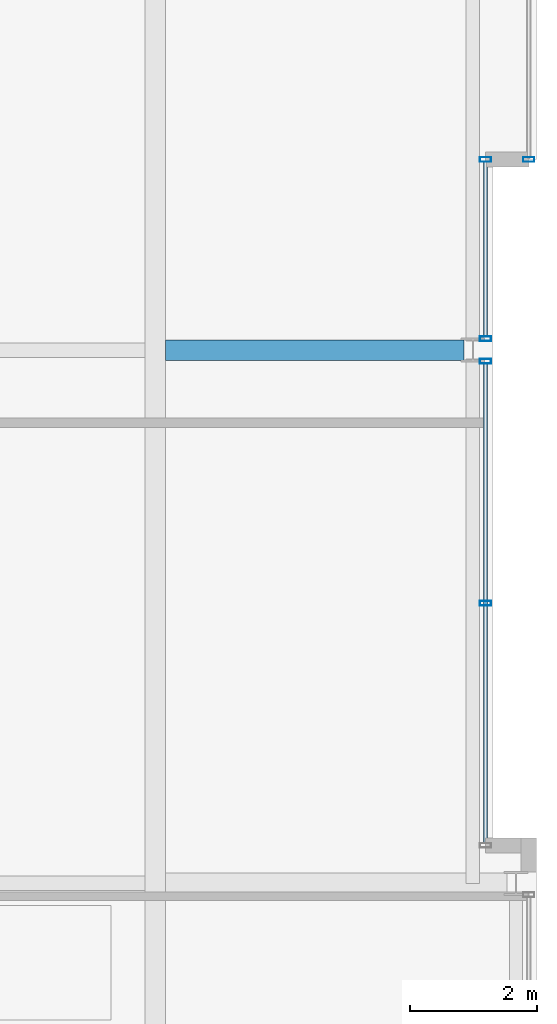
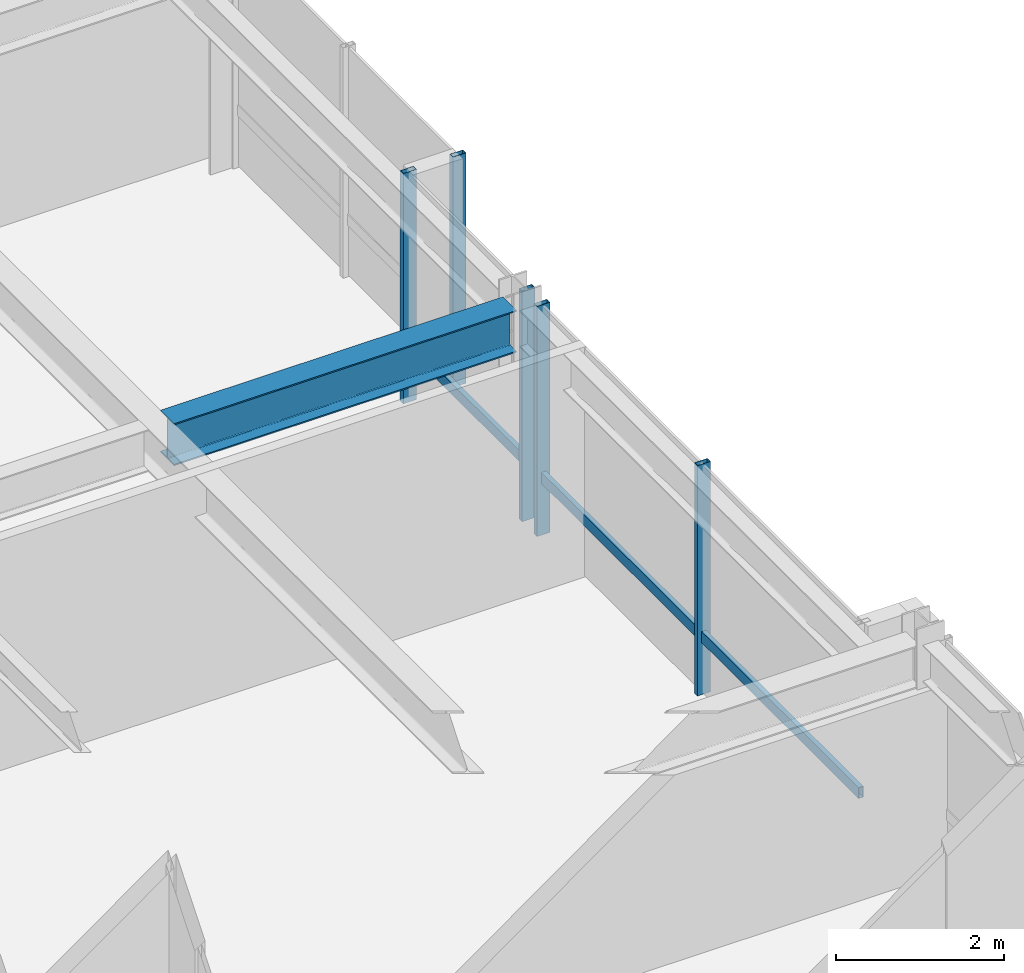
# One storey, part 16 of 31: 7 members, 1 beam, 3 elements without a shape of their own.
"""IFC4 building model written with IfcOpenShell, lengths in metres."""

from ifc_helpers import new_model, si_unit, direction, frame, origin, origin_2d, place, context, subcontext, project, spatial, hollow_rectangle, i_section, extrude, material, layer, layer_set, material_profile, profile_set, type_object, element, aggregate, save


model = new_model("IFC4")

# Units and contexts
model_context = context("Model", 3, precision=1e-05, world=origin(), true_north=direction((0.0, 1.0)))
body_context = subcontext(model_context, "Body", "Model", "MODEL_VIEW")
ifc_project = project(units=[si_unit("LENGTHUNIT", "METRE"), si_unit("AREAUNIT", "SQUARE_METRE"), si_unit("VOLUMEUNIT", "CUBIC_METRE"), si_unit("PLANEANGLEUNIT", "RADIAN"), si_unit("MASSUNIT", "GRAM", prefix="KILO")], contexts=[model_context])

# Site, building, storey
site_placement = place(None, origin())
site = spatial("IfcSite", under=ifc_project, at=site_placement, CompositionType="ELEMENT")
building_placement = place(site_placement, origin())
building = spatial("IfcBuilding", under=site, at=building_placement, Name="Drelvath Grand Hotel", CompositionType="ELEMENT")
storey_placement = place(building_placement, frame((0.0, 0.0, 244.699951171875)))
storey = spatial("IfcBuildingStorey", under=building, at=storey_placement, Name="L64", CompositionType="ELEMENT", Elevation=244.699951171875)

# Curtain wall, member
ifc_material_1 = material(Name="Platinum-Mist Anodised Aluminium Frame", Category="aluminium")
ifc_layer = layer(ifc_material_1, 0.199951171875)
ifc_layer_set = layer_set([ifc_layer], Name="Platinum-Mist Anodised Aluminium Frame")
curtain_wall_type = type_object("IfcCurtainWallType", Name="Stick Curtain Wall CW-05 Platinum Mist High-Rise", PredefinedType="NOTDEFINED", material=ifc_layer_set)
curtain_wall_1_placement = place(storey_placement, origin())
curtain_wall_1 = element("IfcCurtainWall", 1, at=curtain_wall_1_placement, inside=storey, type_object=curtain_wall_type, Name="L64 CW-05 Curtain Wall CW05-L64-EM1", PredefinedType="NOTDEFINED")
ifc_material_profile_1 = material_profile(ifc_material_1, hollow_rectangle(XDim=0.06494140625, YDim=0.159912109375, WallThickness=0.00390625, at=origin_2d()), Name="HSS160X65X4")
ifc_profile_set_1 = profile_set([ifc_material_profile_1], Name="Platinum-Mist Anodised Aluminium Frame")
member_type_1 = type_object("IfcMemberType", Name="Curtain Wall Horizontal Transom CW-05 HSS160X65X4", PredefinedType="USERDEFINED", material=ifc_profile_set_1)
member_1_placement = place(storey_placement, frame((21.39990234375, 26.78173828125, 0.8349609375), z_axis=(0.0, -1.0, 0.0), x_axis=(1.0, 0.0, 0.0)))
member_1 = element("IfcMember", 2, at=member_1_placement, type_object=member_type_1, Name="CW05-L64-EM1 Sill Transom", ObjectType="TRANSOM", PredefinedType="USERDEFINED", context=body_context, shape_type="SweptSolid", body=[
    extrude(hollow_rectangle(XDim=0.06494140625, YDim=0.159912109375, WallThickness=0.00390625, at=origin_2d()), origin(), (0.0, 0.0, 1.0), 7.541748046875),
])

curtain_wall_2_placement = place(storey_placement, origin())
curtain_wall_2 = element("IfcCurtainWall", 3, at=curtain_wall_2_placement, inside=storey, type_object=curtain_wall_type, Name="L64 CW-05 Curtain Wall CW05-L64-EM2", PredefinedType="NOTDEFINED")
member_2_placement = place(storey_placement, frame((21.39990234375, 29.9599609375, 0.8349609375), z_axis=(0.0, -1.0, 0.0), x_axis=(1.0, 0.0, 0.0)))
member_2 = element("IfcMember", 4, at=member_2_placement, type_object=member_type_1, Name="CW05-L64-EM2 Sill Transom", ObjectType="TRANSOM", PredefinedType="USERDEFINED", context=body_context, shape_type="SweptSolid", body=[
    extrude(hollow_rectangle(XDim=0.06494140625, YDim=0.159912109375, WallThickness=0.00390625, at=origin_2d()), origin(), (0.0, 0.0, 1.0), 2.74169921875),
])

curtain_wall_3_placement = place(storey_placement, origin())
curtain_wall_3 = element("IfcCurtainWall", 5, at=curtain_wall_3_placement, inside=storey, type_object=curtain_wall_type, Name="L64 CW-05 Curtain Wall CW05-L64-EN1", PredefinedType="NOTDEFINED")
ifc_material_profile_2 = material_profile(ifc_material_1, hollow_rectangle(XDim=0.074951171875, YDim=0.179931640625, WallThickness=0.0048828125, at=origin_2d()), Name="HSS180X75X5")
ifc_profile_set_2 = profile_set([ifc_material_profile_2], Name="Platinum-Mist Anodised Aluminium Frame")
member_type_2 = type_object("IfcMemberType", Name="Curtain Wall Vertical Mullion CW-05 HSS180X75X5", PredefinedType="MULLION", material=ifc_profile_set_2)
member_3_placement = place(storey_placement, frame((22.080078125, 30.0, 0.0), z_axis=(0.0, 0.0, 1.0), x_axis=(0.0, 1.0, 0.0)))
member_3 = element("IfcMember", 6, at=member_3_placement, type_object=member_type_2, Name="CW05-L64-EN1 Mullion 3", PredefinedType="MULLION", context=body_context, shape_type="SweptSolid", body=[
    extrude(hollow_rectangle(XDim=0.074951171875, YDim=0.179931640625, WallThickness=0.0048828125, at=origin_2d()), origin(), (0.0, 0.0, 1.0), 3.340087890625),
])
aggregate(curtain_wall_3, [member_3])

# Member
member_4_placement = place(storey_placement, frame((21.39990234375, 26.82177734375, 0.0), z_axis=(0.0, 0.0, 1.0), x_axis=(0.0, 1.0, 0.0)))
member_4 = element("IfcMember", 7, at=member_4_placement, type_object=member_type_2, Name="CW05-L64-EM1 Mullion 1", PredefinedType="MULLION", context=body_context, shape_type="SweptSolid", body=[
    extrude(hollow_rectangle(XDim=0.074951171875, YDim=0.179931640625, WallThickness=0.0048828125, at=origin_2d()), origin(), (0.0, 0.0, 1.0), 3.340087890625),
])

member_5_placement = place(storey_placement, frame((21.39990234375, 23.010986328125, 0.0), z_axis=(0.0, 0.0, 1.0), x_axis=(0.0, 1.0, 0.0)))
member_5 = element("IfcMember", 8, at=member_5_placement, type_object=member_type_2, Name="CW05-L64-EM1 Mullion 2", PredefinedType="MULLION", context=body_context, shape_type="SweptSolid", body=[
    extrude(hollow_rectangle(XDim=0.074951171875, YDim=0.179931640625, WallThickness=0.0048828125, at=origin_2d()), origin(), (0.0, 0.0, 1.0), 3.340087890625),
])

aggregate(curtain_wall_1, [member_4, member_5, member_1])

member_6_placement = place(storey_placement, frame((21.39990234375, 30.0, 0.0), z_axis=(0.0, 0.0, 1.0), x_axis=(0.0, 1.0, 0.0)))
member_6 = element("IfcMember", 9, at=member_6_placement, type_object=member_type_2, Name="CW05-L64-EM2 Mullion 1", PredefinedType="MULLION", context=body_context, shape_type="SweptSolid", body=[
    extrude(hollow_rectangle(XDim=0.074951171875, YDim=0.179931640625, WallThickness=0.0048828125, at=origin_2d()), origin(), (0.0, 0.0, 1.0), 3.340087890625),
])

member_7_placement = place(storey_placement, frame((21.39990234375, 27.17822265625, 0.0), z_axis=(0.0, 0.0, 1.0), x_axis=(0.0, 1.0, 0.0)))
member_7 = element("IfcMember", 10, at=member_7_placement, type_object=member_type_2, Name="CW05-L64-EM2 Mullion 2", PredefinedType="MULLION", context=body_context, shape_type="SweptSolid", body=[
    extrude(hollow_rectangle(XDim=0.074951171875, YDim=0.179931640625, WallThickness=0.0048828125, at=origin_2d()), origin(), (0.0, 0.0, 1.0), 3.340087890625),
])

aggregate(curtain_wall_2, [member_6, member_7, member_2])

# Beam
ifc_material_2 = material(Name="Steel ASTM A992 Gr 50", Category="steel")
ifc_material_profile_3 = material_profile(ifc_material_2, i_section(OverallWidth=0.323974609375, OverallDepth=0.611083984375, WebThickness=0.0126953125, FlangeThickness=0.01904296875, FilletRadius=0.02197265625, at=origin_2d()), Name="W24X104")
ifc_profile_set_3 = profile_set([ifc_material_profile_3], Name="Steel ASTM A992 Gr 50")
beam_type = type_object("IfcBeamType", Name="Primary Floor Girder W24X104", PredefinedType="BEAM", material=ifc_profile_set_3)
beam_placement = place(storey_placement, frame((16.362060546875, 27.0, 3.034423828125), z_axis=(1.0, 0.0, 0.0), x_axis=(0.0, 1.0, 0.0)))
element("IfcBeam", 11, at=beam_placement, inside=storey, type_object=beam_type, Name="L64 East Wing Girder E", PredefinedType="BEAM", context=body_context, shape_type="SweptSolid", body=[
    extrude(i_section(OverallWidth=0.323974609375, OverallDepth=0.611083984375, WebThickness=0.0126953125, FlangeThickness=0.01904296875, FilletRadius=0.02197265625, at=origin_2d()), origin(), (0.0, 0.0, 1.0), 4.697998046875),
])

save(model, "model.ifc")
